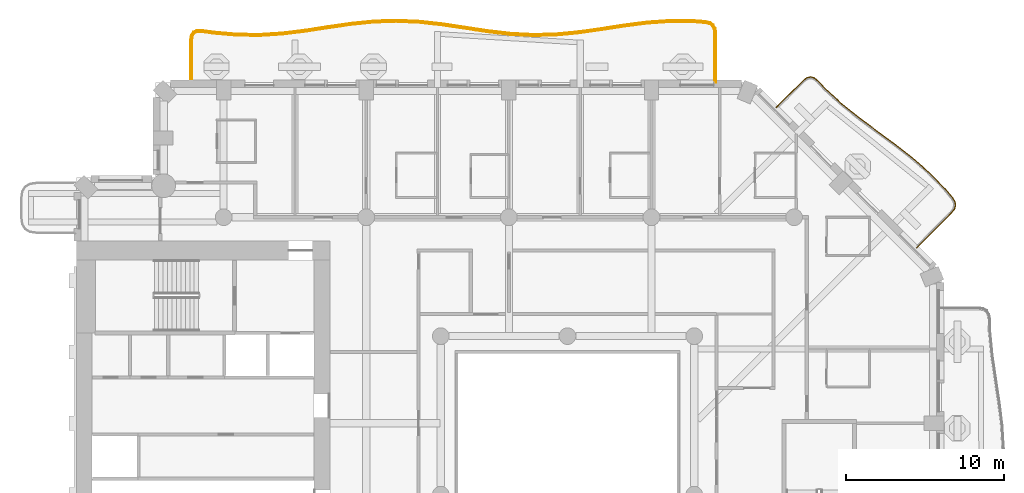
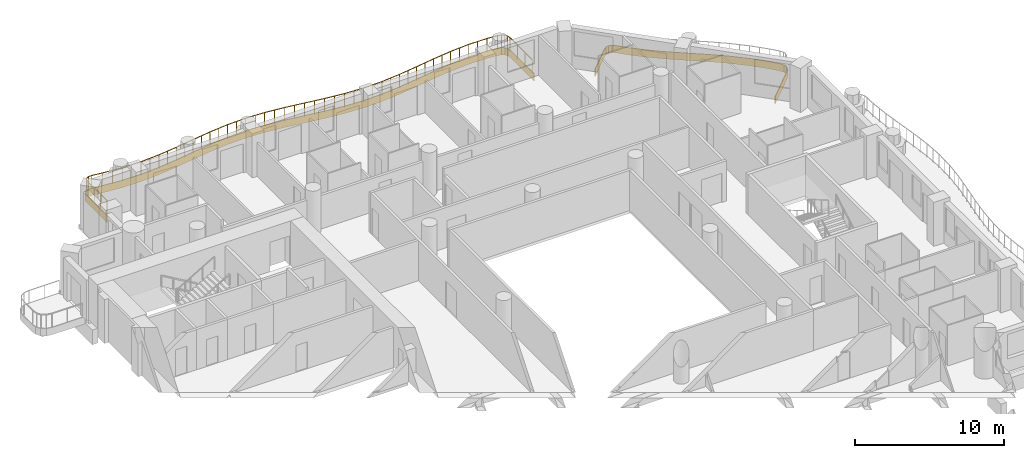
# One storey, part 18 of 20: 2 coverings, 1 railing.
"""IFC4 building model written with IfcOpenShell, lengths in metres."""

from ifc_helpers import new_model, si_unit, direction, frame, origin, origin_2d, place, context, subcontext, project, spatial, polyline, rectangle, outline, extrude, material, layer, layer_set, type_object, element, save


model = new_model("IFC4")

# Units and contexts
model_context = context("Model", 3, precision=1e-05, world=origin(), true_north=direction((0.0, 1.0)))
body_context = subcontext(model_context, "Body", "Model", "MODEL_VIEW")
ifc_project = project(units=[si_unit("LENGTHUNIT", "METRE"), si_unit("AREAUNIT", "SQUARE_METRE"), si_unit("VOLUMEUNIT", "CUBIC_METRE"), si_unit("PLANEANGLEUNIT", "RADIAN"), si_unit("MASSUNIT", "GRAM", prefix="KILO")], contexts=[model_context])

# Site, building, storey
site_placement = place(None, origin())
site = spatial("IfcSite", under=ifc_project, at=site_placement, CompositionType="ELEMENT")
building_placement = place(site_placement, origin())
building = spatial("IfcBuilding", under=site, at=building_placement, Name="Cypress Arch Tower", CompositionType="ELEMENT")
storey_placement = place(building_placement, frame((0.0, 0.0, 116.699951171875)))
storey = spatial("IfcBuildingStorey", under=building, at=storey_placement, Name="L24", CompositionType="ELEMENT", Elevation=116.699951171875)

# Coverings
ifc_material_1 = material(Name="White powder-coated aluminium fascia", Category="aluminium")
ifc_layer = layer(ifc_material_1, 0.050048828125)
ifc_layer_set = layer_set([ifc_layer], Name="Balcony fascia BF50")
covering_type = type_object("IfcCoveringType", Name="Balcony fascia BF50", PredefinedType="CLADDING", material=ifc_layer_set)
covering_1_placement = place(storey_placement, frame((0.0, 0.0, -0.599853515625)))
element("IfcCovering", 1, at=covering_1_placement, inside=storey, type_object=covering_type, Name="Balcony fascia L24-A07", PredefinedType="CLADDING", context=body_context, shape_type="SweptSolid", body=[
    extrude(outline(polyline([(15.866943359375, 26.155517578125), (16.09765625, 26.32861328125), (16.33837890625, 26.38671875), (16.5771484375, 26.32177734375), (16.802978515625, 26.142333984375), (17.32763671875, 25.586669921875), (18.349853515625, 24.654296875), (19.435302734375, 23.78369140625), (20.5595703125, 22.949951171875), (21.689697265625, 22.11962890625), (22.79150390625, 21.258544921875), (23.83642578125, 20.33935546875), (24.8095703125, 19.347900390625), (25.308349609375, 18.76171875), (25.465087890625, 18.514404296875), (25.512939453125, 18.261962890625), (25.445068359375, 18.01416015625), (25.26904296875, 17.7802734375), (23.045166015625, 15.556396484375), (23.009765625, 15.591796875), (25.231201171875, 17.813232421875), (25.3994140625, 18.036376953125), (25.461669921875, 18.263916015625), (25.417724609375, 18.495849609375), (25.26806640625, 18.73193359375), (24.7724609375, 19.314208984375), (23.802001953125, 20.302978515625), (22.759521484375, 21.22021484375), (21.65966796875, 22.079833984375), (20.52978515625, 22.90966796875), (19.404541015625, 23.743896484375), (18.3173828125, 24.6162109375), (17.292724609375, 25.551025390625), (16.76904296875, 26.105224609375), (16.55419921875, 26.276123046875), (16.337646484375, 26.335205078125), (16.119384765625, 26.2822265625), (15.899658203125, 26.11767578125), (14.191650390625, 24.40966796875), (14.15625, 24.445068359375), (15.866943359375, 26.155517578125)])), origin(), (0.0, 0.0, 1.0), 0.599853515625),
])
covering_2_placement = place(storey_placement, frame((0.0, 0.0, -0.599853515625)))
element("IfcCovering", 2, at=covering_2_placement, inside=storey, type_object=covering_type, Name="Balcony fascia L24-A08", PredefinedType="CLADDING", context=body_context, shape_type="SweptSolid", body=[
    extrude(outline(polyline([(-22.800048828125, 28.69873046875), (-22.757568359375, 28.993408203125), (-22.622314453125, 29.2021484375), (-22.39697265625, 29.3076171875), (-22.09912109375, 29.309326171875), (-21.30517578125, 29.199951171875), (-19.869140625, 29.07568359375), (-18.433837890625, 29.055908203125), (-16.998046875, 29.145751953125), (-15.561279296875, 29.322998046875), (-14.12255859375, 29.544189453125), (-12.68212890625, 29.75439453125), (-11.240234375, 29.90185546875), (-9.797607421875, 29.94970703125), (-8.354736328125, 29.88623046875), (-6.9130859375, 29.727294921875), (-5.472900390625, 29.511962890625), (-4.03466796875, 29.2939453125), (-2.597900390625, 29.126953125), (-1.162353515625, 29.052001953125), (0.273193359375, 29.08740234375), (1.709228515625, 29.224609375), (3.14697265625, 29.4296875), (4.58642578125, 29.65234375), (6.027587890625, 29.837646484375), (7.47021484375, 29.939208984375), (8.9130859375, 29.93212890625), (9.709716796875, 29.869140625), (10.005859375, 29.80322265625), (10.225830078125, 29.6533203125), (10.357666015625, 29.42236328125), (10.39990234375, 29.1220703125), (10.39990234375, 26.0009765625), (10.35009765625, 26.0009765625), (10.35009765625, 29.11865234375), (10.3095703125, 29.406005859375), (10.18798828125, 29.61865234375), (9.98583984375, 29.75634765625), (9.702392578125, 29.8193359375), (8.910888671875, 29.882080078125), (7.4716796875, 29.88916015625), (6.03271484375, 29.787841796875), (4.593505859375, 29.60302734375), (3.154296875, 29.38037109375), (1.71533203125, 29.1748046875), (0.276123046875, 29.037353515625), (-1.1630859375, 29.001953125), (-2.602294921875, 29.0771484375), (-4.041259765625, 29.244384765625), (-5.48046875, 29.462646484375), (-6.919677734375, 29.677734375), (-8.358642578125, 29.83642578125), (-9.7978515625, 29.899658203125), (-11.237060546875, 29.851806640625), (-12.676025390625, 29.704833984375), (-14.115234375, 29.49462890625), (-15.554443359375, 29.2734375), (-16.993408203125, 29.095947265625), (-18.4326171875, 29.005859375), (-19.871826171875, 29.025634765625), (-21.310791015625, 29.150146484375), (-22.102294921875, 29.25927734375), (-22.3857421875, 29.257568359375), (-22.588134765625, 29.1630859375), (-22.70947265625, 28.975341796875), (-22.75, 28.695068359375), (-22.75, 26.0009765625), (-22.800048828125, 26.0009765625), (-22.800048828125, 28.69873046875)])), origin(), (0.0, 0.0, 1.0), 0.599853515625),
])

# Railing
ifc_material_2 = material(Name="Powder-coated steel posts and rods, 100 mm clear between rods", Category="steel")
railing_type = type_object("IfcRailingType", Name="Balcony guard GR1100", PredefinedType="GUARDRAIL", material=ifc_material_2)
railing_placement = place(storey_placement, frame((-22.699951171875, 26.14990234375, 0.0)))
element("IfcRailing", 3, at=railing_placement, inside=storey, type_object=railing_type, Name="Balcony guard L24-A08", PredefinedType="GUARDRAIL", context=body_context, shape_type="SweptSolid", body=[
    extrude(rectangle(XDim=0.050048828125, YDim=0.050048828125, at=origin_2d()), frame((0.0, 0.0, 1.0751953125), z_axis=(0.0, 1.0, 0.0), x_axis=(-1.0, 0.0, 0.0)), (0.0, 0.0, 1.0), 2.54150390625),
    extrude(rectangle(XDim=0.050048828125, YDim=0.050048828125, at=origin_2d()), frame((0.0, 2.54150390625, 1.0751953125), z_axis=(0.14256541736, 0.989785381673, 0.0), x_axis=(-0.989785381673, 0.14256541736, 0.0)), (0.0, 0.0, 1.0), 0.268798828125),
    extrude(rectangle(XDim=0.050048828125, YDim=0.050048828125, at=origin_2d()), frame((0.038330078125, 2.8076171875, 1.0751953125), z_axis=(0.543557878192, 0.839371689453, 0.0), x_axis=(-0.839371689453, 0.543557878192, 0.0)), (0.0, 0.0, 1.0), 0.197998046875),
    extrude(rectangle(XDim=0.050048828125, YDim=0.050048828125, at=origin_2d()), frame((0.14599609375, 2.973876953125, 1.0751953125), z_axis=(0.905710358993, 0.423897093188, 0.0), x_axis=(-0.423897093188, 0.905710358993, 0.0)), (0.0, 0.0, 1.0), 0.1982421875),
    extrude(rectangle(XDim=0.050048828125, YDim=0.050048828125, at=origin_2d()), frame((0.325439453125, 3.057861328125, 1.0751953125), z_axis=(0.999979789443, 0.006357727998, 0.0), x_axis=(-0.006357727998, 0.999979789443, 0.0)), (0.0, 0.0, 1.0), 0.268798828125),
    extrude(rectangle(XDim=0.050048828125, YDim=0.050048828125, at=origin_2d()), frame((0.59423828125, 3.0595703125, 1.0751953125), z_axis=(0.990576744493, -0.136958801357, 0.0), x_axis=(0.136958801357, 0.990576744493, 0.0)), (0.0, 0.0, 1.0), 0.796875),
    extrude(rectangle(XDim=0.050048828125, YDim=0.050048828125, at=origin_2d()), frame((1.383544921875, 2.950439453125, 1.0751953125), z_axis=(0.99627909455, -0.086185647082, 0.0), x_axis=(0.086185647082, 0.99627909455, 0.0)), (0.0, 0.0, 1.0), 1.447509765625),
    extrude(rectangle(XDim=0.050048828125, YDim=0.050048828125, at=origin_2d()), frame((2.82568359375, 2.82568359375, 1.0751953125), z_axis=(0.99990839581, -0.01353513903, 0.0), x_axis=(0.01353513903, 0.99990839581, 0.0)), (0.0, 0.0, 1.0), 1.443115234375),
    extrude(rectangle(XDim=0.050048828125, YDim=0.050048828125, at=origin_2d()), frame((4.2685546875, 2.80615234375, 1.0751953125), z_axis=(0.998055863175, 0.062325708836, 0.0), x_axis=(-0.062325708836, 0.998055863175, 0.0)), (0.0, 0.0, 1.0), 1.445556640625),
    extrude(rectangle(XDim=0.050048828125, YDim=0.050048828125, at=origin_2d()), frame((5.711181640625, 2.896240234375, 1.0751953125), z_axis=(0.992460436733, 0.12256541731, 0.0), x_axis=(-0.12256541731, 0.992460436733, 0.0)), (0.0, 0.0, 1.0), 1.4521484375),
    extrude(rectangle(XDim=0.050048828125, YDim=0.050048828125, at=origin_2d()), frame((7.15234375, 3.07421875, 1.0751953125), z_axis=(0.988402680316, 0.151855660228, 0.0), x_axis=(-0.151855660228, 0.988402680316, 0.0)), (0.0, 0.0, 1.0), 1.45654296875),
    extrude(rectangle(XDim=0.050048828125, YDim=0.050048828125, at=origin_2d()), frame((8.592041015625, 3.29541015625, 1.0751953125), z_axis=(0.989531981452, 0.14431374738, 0.0), x_axis=(-0.14431374738, 0.989531981452, 0.0)), (0.0, 0.0, 1.0), 1.453125),
    extrude(rectangle(XDim=0.050048828125, YDim=0.050048828125, at=origin_2d()), frame((10.030029296875, 3.505126953125, 1.0751953125), z_axis=(0.994805175602, 0.101797163983, 0.0), x_axis=(-0.101797163983, 0.994805175602, 0.0)), (0.0, 0.0, 1.0), 1.44384765625),
    extrude(rectangle(XDim=0.050048828125, YDim=0.050048828125, at=origin_2d()), frame((11.46630859375, 3.652099609375, 1.0751953125), z_axis=(0.999450552089, 0.033145043819, 0.0), x_axis=(-0.033145043819, 0.999450552089, 0.0)), (0.0, 0.0, 1.0), 1.436279296875),
    extrude(rectangle(XDim=0.050048828125, YDim=0.050048828125, at=origin_2d()), frame((12.90185546875, 3.69970703125, 1.0751953125), z_axis=(0.999038767987, -0.043835374514, 0.0), x_axis=(0.043835374514, 0.999038767987, 0.0)), (0.0, 0.0, 1.0), 1.43701171875),
    extrude(rectangle(XDim=0.050048828125, YDim=0.050048828125, at=origin_2d()), frame((14.33740234375, 3.63671875, 1.0751953125), z_axis=(0.993971999072, -0.109634233072, 0.0), x_axis=(0.109634233072, 0.993971999072, 0.0)), (0.0, 0.0, 1.0), 1.4453125),
    extrude(rectangle(XDim=0.050048828125, YDim=0.050048828125, at=origin_2d()), frame((15.77392578125, 3.478271484375, 1.0751953125), z_axis=(0.989001522365, -0.147905337159, 0.0), x_axis=(0.147905337159, 0.989001522365, 0.0)), (0.0, 0.0, 1.0), 1.454345703125),
    extrude(rectangle(XDim=0.050048828125, YDim=0.050048828125, at=origin_2d()), frame((17.212158203125, 3.26318359375, 1.0751953125), z_axis=(0.988706473657, -0.149864969049, 0.0), x_axis=(0.149864969049, 0.988706473657, 0.0)), (0.0, 0.0, 1.0), 1.456298828125),
    extrude(rectangle(XDim=0.050048828125, YDim=0.050048828125, at=origin_2d()), frame((18.652099609375, 3.044921875, 1.0751953125), z_axis=(0.993317252299, -0.11541592735, 0.0), x_axis=(0.11541592735, 0.993317252299, 0.0)), (0.0, 0.0, 1.0), 1.451171875),
    extrude(rectangle(XDim=0.050048828125, YDim=0.050048828125, at=origin_2d()), frame((20.093505859375, 2.87744140625, 1.0751953125), z_axis=(0.998635513035, -0.052221758932, 0.0), x_axis=(0.052221758932, 0.998635513035, 0.0)), (0.0, 0.0, 1.0), 1.444580078125),
    extrude(rectangle(XDim=0.050048828125, YDim=0.050048828125, at=origin_2d()), frame((21.5361328125, 2.802001953125, 1.0751953125), z_axis=(0.999694998463, 0.024696356984, 0.0), x_axis=(-0.024696356984, 0.999694998463, 0.0)), (0.0, 0.0, 1.0), 1.443359375),
    extrude(rectangle(XDim=0.050048828125, YDim=0.050048828125, at=origin_2d()), frame((22.97900390625, 2.837646484375, 1.0751953125), z_axis=(0.995472721634, 0.095047674793, 0.0), x_axis=(-0.095047674793, 0.995472721634, 0.0)), (0.0, 0.0, 1.0), 1.44873046875),
    extrude(rectangle(XDim=0.050048828125, YDim=0.050048828125, at=origin_2d()), frame((24.421142578125, 2.975341796875, 1.0751953125), z_axis=(0.989969618603, 0.141280409977, 0.0), x_axis=(-0.141280409977, 0.989969618603, 0.0)), (0.0, 0.0, 1.0), 1.455078125),
    extrude(rectangle(XDim=0.050048828125, YDim=0.050048828125, at=origin_2d()), frame((25.861572265625, 3.180908203125, 1.0751953125), z_axis=(0.988239517368, 0.15291388528, 0.0), x_axis=(-0.15291388528, 0.988239517368, 0.0)), (0.0, 0.0, 1.0), 1.4560546875),
    extrude(rectangle(XDim=0.050048828125, YDim=0.050048828125, at=origin_2d()), frame((27.300537109375, 3.403564453125, 1.0751953125), z_axis=(0.991852208753, 0.127393861675, 0.0), x_axis=(-0.127393861675, 0.991852208753, 0.0)), (0.0, 0.0, 1.0), 1.44873046875),
    extrude(rectangle(XDim=0.050048828125, YDim=0.050048828125, at=origin_2d()), frame((28.737548828125, 3.588134765625, 1.0751953125), z_axis=(0.997531359598, 0.070222408242, 0.0), x_axis=(-0.070222408242, 0.997531359598, 0.0)), (0.0, 0.0, 1.0), 1.439453125),
    extrude(rectangle(XDim=0.050048828125, YDim=0.050048828125, at=origin_2d()), frame((30.17333984375, 3.689208984375, 1.0751953125), z_axis=(0.999987833906, -0.00493275169, 0.0), x_axis=(0.00493275169, 0.999987833906, 0.0)), (0.0, 0.0, 1.0), 1.435302734375),
    extrude(rectangle(XDim=0.050048828125, YDim=0.050048828125, at=origin_2d()), frame((31.608642578125, 3.68212890625, 1.0751953125), z_axis=(0.996880871408, -0.078921025212, 0.0), x_axis=(0.078921025212, 0.996880871408, 0.0)), (0.0, 0.0, 1.0), 0.788818359375),
    extrude(rectangle(XDim=0.050048828125, YDim=0.050048828125, at=origin_2d()), frame((32.39501953125, 3.619873046875, 1.0751953125), z_axis=(0.976228504596, -0.216743873764, 0.0), x_axis=(0.216743873764, 0.976228504596, 0.0)), (0.0, 0.0, 1.0), 0.277099609375),
    extrude(rectangle(XDim=0.050048828125, YDim=0.050048828125, at=origin_2d()), frame((32.66552734375, 3.559814453125, 1.0751953125), z_axis=(0.826296616319, -0.563235210067, 0.0), x_axis=(0.563235210067, 0.826296616319, 0.0)), (0.0, 0.0, 1.0), 0.2236328125),
    extrude(rectangle(XDim=0.050048828125, YDim=0.050048828125, at=origin_2d()), frame((32.850341796875, 3.433837890625, 1.0751953125), z_axis=(0.495433650604, -0.868645783878, 0.0), x_axis=(0.868645783878, 0.495433650604, 0.0)), (0.0, 0.0, 1.0), 0.2236328125),
    extrude(rectangle(XDim=0.050048828125, YDim=0.050048828125, at=origin_2d()), frame((32.961181640625, 3.239501953125, 1.0751953125), z_axis=(0.1400646227, -0.990142364243, 0.0), x_axis=(0.990142364243, 0.1400646227, 0.0)), (0.0, 0.0, 1.0), 0.277099609375),
    extrude(rectangle(XDim=0.050048828125, YDim=0.050048828125, at=origin_2d()), frame((33.0, 2.965087890625, 1.0751953125), z_axis=(0.0, -1.0, 0.0), x_axis=(1.0, 0.0, 0.0)), (0.0, 0.0, 1.0), 2.965087890625),
    extrude(rectangle(XDim=0.0400390625, YDim=0.0400390625, at=origin_2d()), origin(), (0.0, 0.0, 1.0), 1.050048828125),
    extrude(rectangle(XDim=0.0400390625, YDim=0.0400390625, at=origin_2d()), frame((0.0, 0.84716796875, 0.0)), (0.0, 0.0, 1.0), 1.050048828125),
    extrude(rectangle(XDim=0.0400390625, YDim=0.0400390625, at=origin_2d()), frame((0.0, 1.6943359375, 0.0)), (0.0, 0.0, 1.0), 1.050048828125),
    extrude(rectangle(XDim=0.0400390625, YDim=0.0400390625, at=origin_2d()), frame((0.0, 2.54150390625, 0.0)), (0.0, 0.0, 1.0), 1.050048828125),
    extrude(rectangle(XDim=0.0400390625, YDim=0.0400390625, at=origin_2d()), frame((0.038330078125, 2.8076171875, 0.0)), (0.0, 0.0, 1.0), 1.050048828125),
    extrude(rectangle(XDim=0.0400390625, YDim=0.0400390625, at=origin_2d()), frame((0.14599609375, 2.973876953125, 0.0)), (0.0, 0.0, 1.0), 1.050048828125),
    extrude(rectangle(XDim=0.0400390625, YDim=0.0400390625, at=origin_2d()), frame((0.325439453125, 3.057861328125, 0.0)), (0.0, 0.0, 1.0), 1.050048828125),
    extrude(rectangle(XDim=0.0400390625, YDim=0.0400390625, at=origin_2d()), frame((0.59423828125, 3.0595703125, 0.0)), (0.0, 0.0, 1.0), 1.050048828125),
    extrude(rectangle(XDim=0.0400390625, YDim=0.0400390625, at=origin_2d()), frame((1.383544921875, 2.950439453125, 0.0)), (0.0, 0.0, 1.0), 1.050048828125),
    extrude(rectangle(XDim=0.0400390625, YDim=0.0400390625, at=origin_2d()), frame((2.1044921875, 2.88818359375, 0.0)), (0.0, 0.0, 1.0), 1.050048828125),
    extrude(rectangle(XDim=0.0400390625, YDim=0.0400390625, at=origin_2d()), frame((2.82568359375, 2.82568359375, 0.0)), (0.0, 0.0, 1.0), 1.050048828125),
    extrude(rectangle(XDim=0.0400390625, YDim=0.0400390625, at=origin_2d()), frame((3.547119140625, 2.81591796875, 0.0)), (0.0, 0.0, 1.0), 1.050048828125),
    extrude(rectangle(XDim=0.0400390625, YDim=0.0400390625, at=origin_2d()), frame((4.2685546875, 2.80615234375, 0.0)), (0.0, 0.0, 1.0), 1.050048828125),
    extrude(rectangle(XDim=0.0400390625, YDim=0.0400390625, at=origin_2d()), frame((4.98974609375, 2.85107421875, 0.0)), (0.0, 0.0, 1.0), 1.050048828125),
    extrude(rectangle(XDim=0.0400390625, YDim=0.0400390625, at=origin_2d()), frame((5.711181640625, 2.896240234375, 0.0)), (0.0, 0.0, 1.0), 1.050048828125),
    extrude(rectangle(XDim=0.0400390625, YDim=0.0400390625, at=origin_2d()), frame((6.431640625, 2.9853515625, 0.0)), (0.0, 0.0, 1.0), 1.050048828125),
    extrude(rectangle(XDim=0.0400390625, YDim=0.0400390625, at=origin_2d()), frame((7.15234375, 3.07421875, 0.0)), (0.0, 0.0, 1.0), 1.050048828125),
    extrude(rectangle(XDim=0.0400390625, YDim=0.0400390625, at=origin_2d()), frame((7.8720703125, 3.184814453125, 0.0)), (0.0, 0.0, 1.0), 1.050048828125),
    extrude(rectangle(XDim=0.0400390625, YDim=0.0400390625, at=origin_2d()), frame((8.592041015625, 3.29541015625, 0.0)), (0.0, 0.0, 1.0), 1.050048828125),
    extrude(rectangle(XDim=0.0400390625, YDim=0.0400390625, at=origin_2d()), frame((9.31103515625, 3.400390625, 0.0)), (0.0, 0.0, 1.0), 1.050048828125),
    extrude(rectangle(XDim=0.0400390625, YDim=0.0400390625, at=origin_2d()), frame((10.030029296875, 3.505126953125, 0.0)), (0.0, 0.0, 1.0), 1.050048828125),
    extrude(rectangle(XDim=0.0400390625, YDim=0.0400390625, at=origin_2d()), frame((10.748046875, 3.57861328125, 0.0)), (0.0, 0.0, 1.0), 1.050048828125),
    extrude(rectangle(XDim=0.0400390625, YDim=0.0400390625, at=origin_2d()), frame((11.46630859375, 3.652099609375, 0.0)), (0.0, 0.0, 1.0), 1.050048828125),
    extrude(rectangle(XDim=0.0400390625, YDim=0.0400390625, at=origin_2d()), frame((12.18408203125, 3.67578125, 0.0)), (0.0, 0.0, 1.0), 1.050048828125),
    extrude(rectangle(XDim=0.0400390625, YDim=0.0400390625, at=origin_2d()), frame((12.90185546875, 3.69970703125, 0.0)), (0.0, 0.0, 1.0), 1.050048828125),
    extrude(rectangle(XDim=0.0400390625, YDim=0.0400390625, at=origin_2d()), frame((13.61962890625, 3.668212890625, 0.0)), (0.0, 0.0, 1.0), 1.050048828125),
    extrude(rectangle(XDim=0.0400390625, YDim=0.0400390625, at=origin_2d()), frame((14.33740234375, 3.63671875, 0.0)), (0.0, 0.0, 1.0), 1.050048828125),
    extrude(rectangle(XDim=0.0400390625, YDim=0.0400390625, at=origin_2d()), frame((15.0556640625, 3.5576171875, 0.0)), (0.0, 0.0, 1.0), 1.050048828125),
    extrude(rectangle(XDim=0.0400390625, YDim=0.0400390625, at=origin_2d()), frame((15.77392578125, 3.478271484375, 0.0)), (0.0, 0.0, 1.0), 1.050048828125),
    extrude(rectangle(XDim=0.0400390625, YDim=0.0400390625, at=origin_2d()), frame((16.4931640625, 3.37060546875, 0.0)), (0.0, 0.0, 1.0), 1.050048828125),
    extrude(rectangle(XDim=0.0400390625, YDim=0.0400390625, at=origin_2d()), frame((17.212158203125, 3.26318359375, 0.0)), (0.0, 0.0, 1.0), 1.050048828125),
    extrude(rectangle(XDim=0.0400390625, YDim=0.0400390625, at=origin_2d()), frame((17.93212890625, 3.154052734375, 0.0)), (0.0, 0.0, 1.0), 1.050048828125),
    extrude(rectangle(XDim=0.0400390625, YDim=0.0400390625, at=origin_2d()), frame((18.652099609375, 3.044921875, 0.0)), (0.0, 0.0, 1.0), 1.050048828125),
    extrude(rectangle(XDim=0.0400390625, YDim=0.0400390625, at=origin_2d()), frame((19.372802734375, 2.961181640625, 0.0)), (0.0, 0.0, 1.0), 1.050048828125),
    extrude(rectangle(XDim=0.0400390625, YDim=0.0400390625, at=origin_2d()), frame((20.093505859375, 2.87744140625, 0.0)), (0.0, 0.0, 1.0), 1.050048828125),
    extrude(rectangle(XDim=0.0400390625, YDim=0.0400390625, at=origin_2d()), frame((20.81494140625, 2.83984375, 0.0)), (0.0, 0.0, 1.0), 1.050048828125),
    extrude(rectangle(XDim=0.0400390625, YDim=0.0400390625, at=origin_2d()), frame((21.5361328125, 2.802001953125, 0.0)), (0.0, 0.0, 1.0), 1.050048828125),
    extrude(rectangle(XDim=0.0400390625, YDim=0.0400390625, at=origin_2d()), frame((22.257568359375, 2.81982421875, 0.0)), (0.0, 0.0, 1.0), 1.050048828125),
    extrude(rectangle(XDim=0.0400390625, YDim=0.0400390625, at=origin_2d()), frame((22.97900390625, 2.837646484375, 0.0)), (0.0, 0.0, 1.0), 1.050048828125),
    extrude(rectangle(XDim=0.0400390625, YDim=0.0400390625, at=origin_2d()), frame((23.7001953125, 2.906494140625, 0.0)), (0.0, 0.0, 1.0), 1.050048828125),
    extrude(rectangle(XDim=0.0400390625, YDim=0.0400390625, at=origin_2d()), frame((24.421142578125, 2.975341796875, 0.0)), (0.0, 0.0, 1.0), 1.050048828125),
    extrude(rectangle(XDim=0.0400390625, YDim=0.0400390625, at=origin_2d()), frame((25.141357421875, 3.078125, 0.0)), (0.0, 0.0, 1.0), 1.050048828125),
    extrude(rectangle(XDim=0.0400390625, YDim=0.0400390625, at=origin_2d()), frame((25.861572265625, 3.180908203125, 0.0)), (0.0, 0.0, 1.0), 1.050048828125),
    extrude(rectangle(XDim=0.0400390625, YDim=0.0400390625, at=origin_2d()), frame((26.5810546875, 3.292236328125, 0.0)), (0.0, 0.0, 1.0), 1.050048828125),
    extrude(rectangle(XDim=0.0400390625, YDim=0.0400390625, at=origin_2d()), frame((27.300537109375, 3.403564453125, 0.0)), (0.0, 0.0, 1.0), 1.050048828125),
    extrude(rectangle(XDim=0.0400390625, YDim=0.0400390625, at=origin_2d()), frame((28.01904296875, 3.495849609375, 0.0)), (0.0, 0.0, 1.0), 1.050048828125),
    extrude(rectangle(XDim=0.0400390625, YDim=0.0400390625, at=origin_2d()), frame((28.737548828125, 3.588134765625, 0.0)), (0.0, 0.0, 1.0), 1.050048828125),
    extrude(rectangle(XDim=0.0400390625, YDim=0.0400390625, at=origin_2d()), frame((29.45556640625, 3.638671875, 0.0)), (0.0, 0.0, 1.0), 1.050048828125),
    extrude(rectangle(XDim=0.0400390625, YDim=0.0400390625, at=origin_2d()), frame((30.17333984375, 3.689208984375, 0.0)), (0.0, 0.0, 1.0), 1.050048828125),
    extrude(rectangle(XDim=0.0400390625, YDim=0.0400390625, at=origin_2d()), frame((30.89111328125, 3.685546875, 0.0)), (0.0, 0.0, 1.0), 1.050048828125),
    extrude(rectangle(XDim=0.0400390625, YDim=0.0400390625, at=origin_2d()), frame((31.608642578125, 3.68212890625, 0.0)), (0.0, 0.0, 1.0), 1.050048828125),
    extrude(rectangle(XDim=0.0400390625, YDim=0.0400390625, at=origin_2d()), frame((32.39501953125, 3.619873046875, 0.0)), (0.0, 0.0, 1.0), 1.050048828125),
    extrude(rectangle(XDim=0.0400390625, YDim=0.0400390625, at=origin_2d()), frame((32.66552734375, 3.559814453125, 0.0)), (0.0, 0.0, 1.0), 1.050048828125),
    extrude(rectangle(XDim=0.0400390625, YDim=0.0400390625, at=origin_2d()), frame((32.850341796875, 3.433837890625, 0.0)), (0.0, 0.0, 1.0), 1.050048828125),
    extrude(rectangle(XDim=0.0400390625, YDim=0.0400390625, at=origin_2d()), frame((32.961181640625, 3.239501953125, 0.0)), (0.0, 0.0, 1.0), 1.050048828125),
    extrude(rectangle(XDim=0.0400390625, YDim=0.0400390625, at=origin_2d()), frame((33.0, 2.965087890625, 0.0)), (0.0, 0.0, 1.0), 1.050048828125),
    extrude(rectangle(XDim=0.0400390625, YDim=0.0400390625, at=origin_2d()), frame((33.0, 1.976806640625, 0.0)), (0.0, 0.0, 1.0), 1.050048828125),
    extrude(rectangle(XDim=0.0400390625, YDim=0.0400390625, at=origin_2d()), frame((33.0, 0.98828125, 0.0)), (0.0, 0.0, 1.0), 1.050048828125),
    extrude(rectangle(XDim=0.0400390625, YDim=0.0400390625, at=origin_2d()), frame((33.0, 0.0, 0.0)), (0.0, 0.0, 1.0), 1.050048828125),
])

save(model, "model.ifc")
